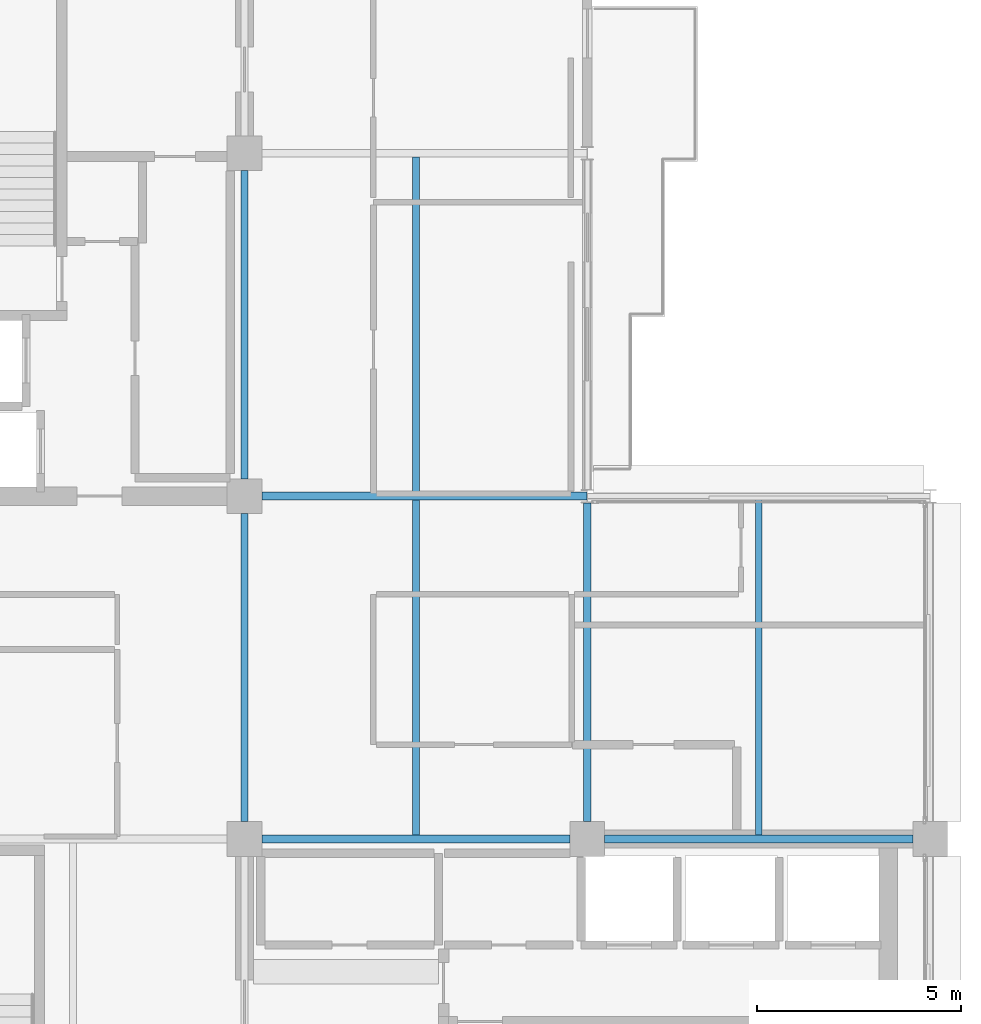
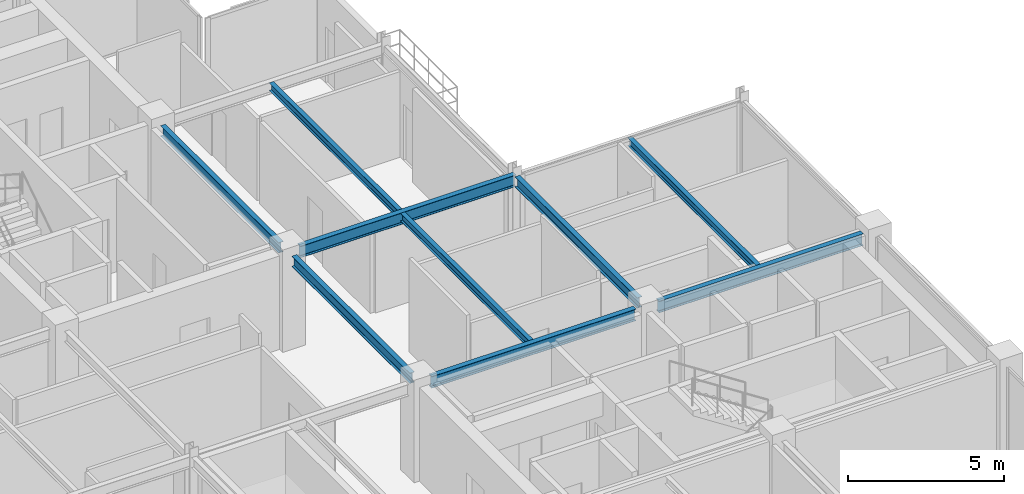
# One storey, part 12 of 25: 9 beams.
"""IFC4 building model written with IfcOpenShell, lengths in metres."""

from ifc_helpers import new_model, si_unit, direction, frame, origin, origin_2d, place, context, subcontext, project, spatial, i_section, extrude, material, material_profile, profile_set, type_object, element, save


model = new_model("IFC4")

# Units and contexts
model_context = context("Model", 3, precision=1e-05, world=origin(), true_north=direction((0.0, 1.0)))
body_context = subcontext(model_context, "Body", "Model", "MODEL_VIEW")
ifc_project = project(units=[si_unit("LENGTHUNIT", "METRE"), si_unit("AREAUNIT", "SQUARE_METRE"), si_unit("VOLUMEUNIT", "CUBIC_METRE"), si_unit("PLANEANGLEUNIT", "RADIAN"), si_unit("MASSUNIT", "GRAM", prefix="KILO")], contexts=[model_context])

# Site, building, storey
site_placement = place(None, origin())
site = spatial("IfcSite", under=ifc_project, at=site_placement, CompositionType="ELEMENT")
building_placement = place(site_placement, origin())
building = spatial("IfcBuilding", under=site, at=building_placement, Name="Nerrivon Quay Data Exchange", CompositionType="ELEMENT")
storey_placement = place(building_placement, frame((0.0, 0.0, 318.199951171875)))
storey = spatial("IfcBuildingStorey", under=building, at=storey_placement, Name="L76", CompositionType="ELEMENT", Elevation=318.199951171875)

# Beams
ifc_material = material(Name="Steel Grade 350", Category="steel")
ifc_material_profile_1 = material_profile(ifc_material, i_section(OverallWidth=0.18994140625, OverallDepth=0.4541015625, WebThickness=0.008544921875, FlangeThickness=0.0126953125, FilletRadius=0.011474609375, at=origin_2d()), Name="460UB67.1")
ifc_profile_set_1 = profile_set([ifc_material_profile_1], Name="Steel Grade 350")
beam_type_1 = type_object("IfcBeamType", Name="BM-G6-460UB67", PredefinedType="BEAM", material=ifc_profile_set_1)
beam_1_placement = place(storey_placement, frame((17.22509765625, 16.800048828125, 3.423095703125), z_axis=(1.0, 0.0, 0.0), x_axis=(0.0, 1.0, 0.0)))
element("IfcBeam", 1, at=beam_1_placement, inside=storey, type_object=beam_type_1, Name="L76 EW Girder Y=16.8 (16.8..25.2)", PredefinedType="BEAM", context=body_context, shape_type="SweptSolid", body=[
    extrude(i_section(OverallWidth=0.18994140625, OverallDepth=0.4541015625, WebThickness=0.008544921875, FlangeThickness=0.0126953125, FilletRadius=0.011474609375, at=origin_2d()), origin(), (0.0, 0.0, 1.0), 7.5498046875),
])
beam_2_placement = place(storey_placement, frame((25.625, 16.800048828125, 3.423095703125), z_axis=(1.0, 0.0, 0.0), x_axis=(0.0, 1.0, 0.0)))
element("IfcBeam", 2, at=beam_2_placement, inside=storey, type_object=beam_type_1, Name="L76 EW Girder Y=16.8 (25.2..33.6)", PredefinedType="BEAM", context=body_context, shape_type="SweptSolid", body=[
    extrude(i_section(OverallWidth=0.18994140625, OverallDepth=0.4541015625, WebThickness=0.008544921875, FlangeThickness=0.0126953125, FilletRadius=0.011474609375, at=origin_2d()), origin(), (0.0, 0.0, 1.0), 7.550048828125),
])
beam_3_placement = place(storey_placement, frame((17.22509765625, 25.199951171875, 3.423095703125), z_axis=(1.0, 0.0, 0.0), x_axis=(0.0, 1.0, 0.0)))
element("IfcBeam", 3, at=beam_3_placement, inside=storey, type_object=beam_type_1, Name="L76 EW Girder Y=25.2 (16.8..25.2)", PredefinedType="BEAM", context=body_context, shape_type="SweptSolid", body=[
    extrude(i_section(OverallWidth=0.18994140625, OverallDepth=0.4541015625, WebThickness=0.008544921875, FlangeThickness=0.0126953125, FilletRadius=0.011474609375, at=origin_2d()), origin(), (0.0, 0.0, 1.0), 7.967041015625),
])
ifc_material_profile_2 = material_profile(ifc_material, i_section(OverallWidth=0.177978515625, OverallDepth=0.406005859375, WebThickness=0.0078125, FlangeThickness=0.0126953125, FilletRadius=0.011474609375, at=origin_2d()), Name="410UB59.7")
ifc_profile_set_2 = profile_set([ifc_material_profile_2], Name="Steel Grade 350")
beam_type_2 = type_object("IfcBeamType", Name="BM-J1-410UB60", PredefinedType="JOIST", material=ifc_profile_set_2)
beam_4_placement = place(storey_placement, frame((16.800048828125, 17.22509765625, 3.447021484375), z_axis=(0.0, 1.0, 0.0), x_axis=(-1.0, 0.0, 0.0)))
element("IfcBeam", 4, at=beam_4_placement, inside=storey, type_object=beam_type_2, Name="L76 NS Girder X=16.8 (16.8..25.2)", PredefinedType="JOIST", context=body_context, shape_type="SweptSolid", body=[
    extrude(i_section(OverallWidth=0.177978515625, OverallDepth=0.406005859375, WebThickness=0.0078125, FlangeThickness=0.0126953125, FilletRadius=0.011474609375, at=origin_2d()), origin(), (0.0, 0.0, 1.0), 7.5498046875),
])
beam_5_placement = place(storey_placement, frame((16.800048828125, 25.625, 3.447021484375), z_axis=(0.0, 1.0, 0.0), x_axis=(-1.0, 0.0, 0.0)))
element("IfcBeam", 5, at=beam_5_placement, inside=storey, type_object=beam_type_2, Name="L76 NS Girder X=16.8 (25.2..33.6)", PredefinedType="JOIST", context=body_context, shape_type="SweptSolid", body=[
    extrude(i_section(OverallWidth=0.177978515625, OverallDepth=0.406005859375, WebThickness=0.0078125, FlangeThickness=0.0126953125, FilletRadius=0.011474609375, at=origin_2d()), origin(), (0.0, 0.0, 1.0), 7.550048828125),
])
beam_6_placement = place(storey_placement, frame((25.199951171875, 17.22509765625, 3.447021484375), z_axis=(0.0, 1.0, 0.0), x_axis=(-1.0, 0.0, 0.0)))
element("IfcBeam", 6, at=beam_6_placement, inside=storey, type_object=beam_type_2, Name="L76 NS Girder X=25.2 (16.8..25.2)", PredefinedType="JOIST", context=body_context, shape_type="SweptSolid", body=[
    extrude(i_section(OverallWidth=0.177978515625, OverallDepth=0.406005859375, WebThickness=0.0078125, FlangeThickness=0.0126953125, FilletRadius=0.011474609375, at=origin_2d()), origin(), (0.0, 0.0, 1.0), 7.8115234375),
])
ifc_material_profile_3 = material_profile(ifc_material, i_section(OverallWidth=0.1650390625, OverallDepth=0.303955078125, WebThickness=0.006103515625, FlangeThickness=0.01025390625, FilletRadius=0.011474609375, at=origin_2d()), Name="310UB40.4")
ifc_profile_set_3 = profile_set([ifc_material_profile_3], Name="Steel Grade 350")
beam_type_3 = type_object("IfcBeamType", Name="BM-J6-310UB40", PredefinedType="JOIST", material=ifc_profile_set_3)
for number, where, z_axis, x_axis, name in (
    (7, (21.0, 16.89501953125, 3.498046875), (0.0, 1.0, 0.0), (-1.0, 0.0, 0.0), "L76 Secondary Joist X=21.0 (16.8..25.2)"),
    (8, (21.0, 25.294921875, 3.498046875), (0.0, 1.0, 0.0), (-1.0, 0.0, 0.0), "L76 Secondary Joist X=21.0 (25.2..33.6)"),
):
    element("IfcBeam", number, at=place(storey_placement, frame(where, z_axis=z_axis, x_axis=x_axis)), inside=storey, type_object=beam_type_3, Name=name, PredefinedType="JOIST", context=body_context, shape_type="SweptSolid", body=[
        extrude(i_section(OverallWidth=0.1650390625, OverallDepth=0.303955078125, WebThickness=0.006103515625, FlangeThickness=0.01025390625, FilletRadius=0.011474609375, at=origin_2d()), origin(), (0.0, 0.0, 1.0), 8.2099609375),
    ])
beam_7_placement = place(storey_placement, frame((29.39990234375, 16.89501953125, 3.498046875), z_axis=(0.0, 1.0, 0.0), x_axis=(-1.0, 0.0, 0.0)))
element("IfcBeam", 9, at=beam_7_placement, inside=storey, type_object=beam_type_3, Name="L76 Secondary Joist X=29.4 (16.8..25.2)", PredefinedType="JOIST", context=body_context, shape_type="SweptSolid", body=[
    extrude(i_section(OverallWidth=0.1650390625, OverallDepth=0.303955078125, WebThickness=0.006103515625, FlangeThickness=0.01025390625, FilletRadius=0.011474609375, at=origin_2d()), origin(), (0.0, 0.0, 1.0), 8.22998046875),
])

save(model, "model.ifc")
